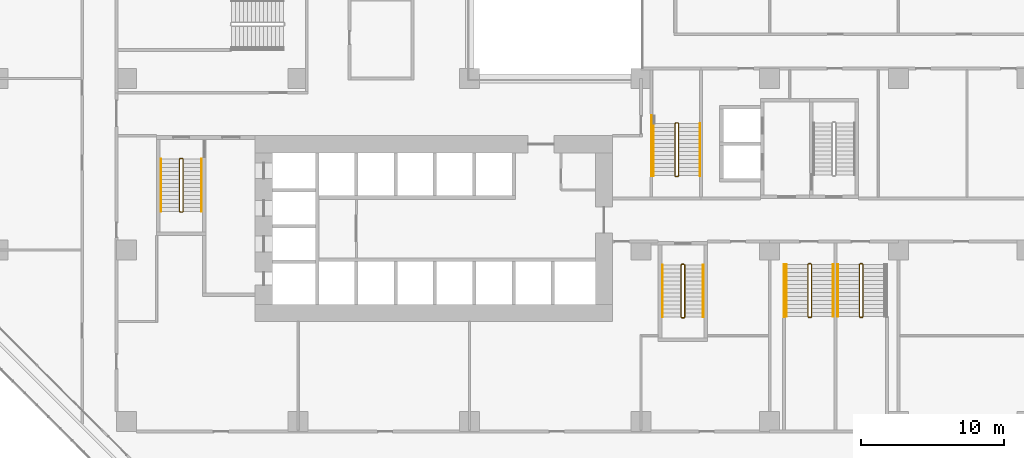
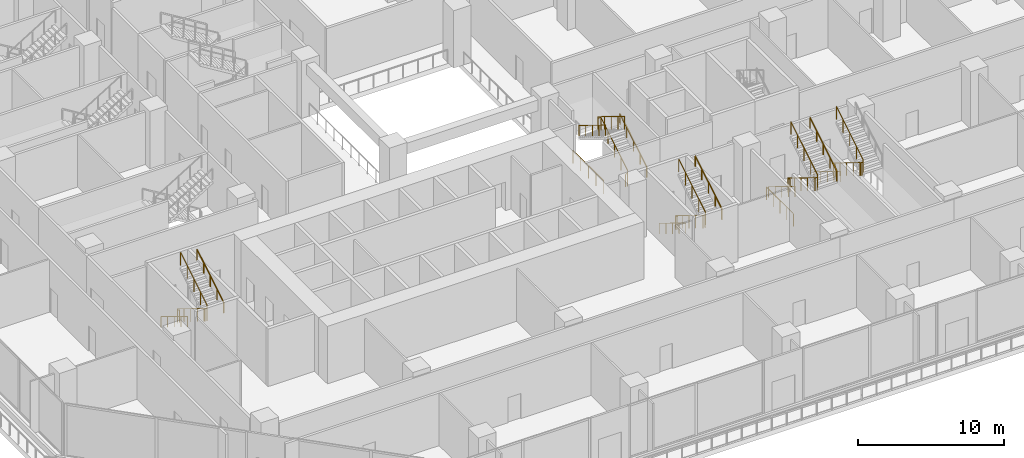
# One storey, part 24 of 31: 16 railings.
"""IFC4 building model written with IfcOpenShell, lengths in metres."""

from ifc_helpers import new_model, si_unit, direction, frame, origin, origin_2d, place, context, subcontext, project, spatial, rectangle, extrude, material, type_object, element, save


model = new_model("IFC4")

# Units and contexts
model_context = context("Model", 3, precision=1e-05, world=origin(), true_north=direction((0.0, 1.0)))
body_context = subcontext(model_context, "Body", "Model", "MODEL_VIEW")
ifc_project = project(units=[si_unit("LENGTHUNIT", "METRE"), si_unit("AREAUNIT", "SQUARE_METRE"), si_unit("VOLUMEUNIT", "CUBIC_METRE"), si_unit("PLANEANGLEUNIT", "RADIAN"), si_unit("MASSUNIT", "GRAM", prefix="KILO")], contexts=[model_context])

# Site, building, storey
site_placement = place(None, origin())
site = spatial("IfcSite", under=ifc_project, at=site_placement, CompositionType="ELEMENT")
building_placement = place(site_placement, origin())
building = spatial("IfcBuilding", under=site, at=building_placement, Name="Chenar Terraces", CompositionType="ELEMENT")
storey_placement = place(building_placement, frame((0.0, 0.0, 12.0)))
storey = spatial("IfcBuildingStorey", under=building, at=storey_placement, Name="L02", CompositionType="ELEMENT", Elevation=12.0)

# Railings
ifc_material_1 = material(Name="Powder-coated steel", Category="steel")
railing_type_1 = type_object("IfcRailingType", Name="Stair guard 1100", PredefinedType="GUARDRAIL", material=ifc_material_1)
railing_1_placement = place(storey_placement, frame((3.949951171875, 18.35009765625, 4.800048828125)))
element("IfcRailing", 1, at=railing_1_placement, inside=storey, type_object=railing_type_1, Name="L02 ST1 stair guard 1", PredefinedType="GUARDRAIL", context=body_context, shape_type="SweptSolid", body=[
    extrude(rectangle(XDim=0.048095703125, YDim=0.048095703125, at=origin_2d()), frame((0.0, 0.0, 1.076171875), z_axis=(0.0, -0.852865859571, -0.52213008492), x_axis=(1.0, 0.0, 0.0)), (0.0, 0.0, 1.0), 4.26806640625),
    extrude(rectangle(XDim=0.048095703125, YDim=0.048095703125, at=origin_2d()), frame((0.0, -3.64013671875, -1.15234375), z_axis=(-0.269583098496, -0.269583098496, -0.924472771914), x_axis=(0.707106781187, -0.707106781187, 0.0)), (0.0, 0.0, 1.0), 0.185546875),
    extrude(rectangle(XDim=0.048095703125, YDim=0.048095703125, at=origin_2d()), frame((-0.050048828125, -3.690185546875, -1.32421875), z_axis=(-1.0, 0.0, 0.0), x_axis=(0.0, -1.0, 0.0)), (0.0, 0.0, 1.0), 0.14990234375),
    extrude(rectangle(XDim=0.048095703125, YDim=0.048095703125, at=origin_2d()), frame((-0.199951171875, -3.690185546875, -1.32421875), z_axis=(-0.707106781187, 0.707106781187, 0.0), x_axis=(-0.707106781187, -0.707106781187, 0.0)), (0.0, 0.0, 1.0), 0.07080078125),
    extrude(rectangle(XDim=0.048095703125, YDim=0.048095703125, at=origin_2d()), frame((-0.25, -3.64013671875, -1.32421875), z_axis=(0.0, 0.852865859571, -0.52213008492), x_axis=(-1.0, 0.0, 0.0)), (0.0, 0.0, 1.0), 4.26806640625),
    extrude(rectangle(XDim=0.048095703125, YDim=0.048095703125, at=origin_2d()), frame((-0.25, 0.0, -3.552734375), z_axis=(0.270006937388, 0.268689830376, -0.924609122178), x_axis=(-0.705375805398, 0.708833529934, 0.0)), (0.0, 0.0, 1.0), 0.185302734375),
    extrude(rectangle(XDim=0.048095703125, YDim=0.048095703125, at=origin_2d()), frame((-0.199951171875, 0.0498046875, -3.72412109375), z_axis=(1.0, 0.0, 0.0), x_axis=(0.0, 1.0, 0.0)), (0.0, 0.0, 1.0), 0.14990234375),
    extrude(rectangle(XDim=0.0419921875, YDim=0.0419921875, at=origin_2d()), origin(), (0.0, 0.0, 1.0), 1.052001953125),
    extrude(rectangle(XDim=0.0419921875, YDim=0.0419921875, at=origin_2d()), frame((0.0, -0.91015625, -0.55712890625)), (0.0, 0.0, 1.0), 1.052001953125),
    extrude(rectangle(XDim=0.0419921875, YDim=0.0419921875, at=origin_2d()), frame((0.0, -1.820068359375, -1.1142578125)), (0.0, 0.0, 1.0), 1.052001953125),
    extrude(rectangle(XDim=0.0419921875, YDim=0.0419921875, at=origin_2d()), frame((0.0, -2.72998046875, -1.67138671875)), (0.0, 0.0, 1.0), 1.052001953125),
    extrude(rectangle(XDim=0.0419921875, YDim=0.0419921875, at=origin_2d()), frame((0.0, -3.64013671875, -2.228515625)), (0.0, 0.0, 1.0), 1.052001953125),
    extrude(rectangle(XDim=0.0419921875, YDim=0.0419921875, at=origin_2d()), frame((-0.050048828125, -3.690185546875, -2.400146484375)), (0.0, 0.0, 1.0), 1.052001953125),
    extrude(rectangle(XDim=0.0419921875, YDim=0.0419921875, at=origin_2d()), frame((-0.199951171875, -3.690185546875, -2.400146484375)), (0.0, 0.0, 1.0), 1.052001953125),
    extrude(rectangle(XDim=0.0419921875, YDim=0.0419921875, at=origin_2d()), frame((-0.25, -3.64013671875, -2.400146484375)), (0.0, 0.0, 1.0), 1.052001953125),
    extrude(rectangle(XDim=0.0419921875, YDim=0.0419921875, at=origin_2d()), frame((-0.25, -2.72998046875, -2.957275390625)), (0.0, 0.0, 1.0), 1.052001953125),
    extrude(rectangle(XDim=0.0419921875, YDim=0.0419921875, at=origin_2d()), frame((-0.25, -1.820068359375, -3.514404296875)), (0.0, 0.0, 1.0), 1.052001953125),
    extrude(rectangle(XDim=0.0419921875, YDim=0.0419921875, at=origin_2d()), frame((-0.25, -0.91015625, -4.071533203125)), (0.0, 0.0, 1.0), 1.052001953125),
    extrude(rectangle(XDim=0.0419921875, YDim=0.0419921875, at=origin_2d()), frame((-0.25, 0.0, -4.628662109375)), (0.0, 0.0, 1.0), 1.052001953125),
    extrude(rectangle(XDim=0.0419921875, YDim=0.0419921875, at=origin_2d()), frame((-0.199951171875, 0.0498046875, -4.800048828125)), (0.0, 0.0, 1.0), 1.052001953125),
    extrude(rectangle(XDim=0.0419921875, YDim=0.0419921875, at=origin_2d()), frame((-0.050048828125, 0.0498046875, -4.800048828125)), (0.0, 0.0, 1.0), 1.052001953125),
])
railing_2_placement = place(storey_placement, frame((39.050048828125, 10.949951171875, 4.800048828125)))
element("IfcRailing", 2, at=railing_2_placement, inside=storey, type_object=railing_type_1, Name="L02 ST2 stair guard 1", PredefinedType="GUARDRAIL", context=body_context, shape_type="SweptSolid", body=[
    extrude(rectangle(XDim=0.048095703125, YDim=0.048095703125, at=origin_2d()), frame((0.0, 0.0, 1.076171875), z_axis=(0.0, -0.852850264322, -0.5221555579), x_axis=(1.0, 0.0, 0.0)), (0.0, 0.0, 1.0), 4.267822265625),
    extrude(rectangle(XDim=0.048095703125, YDim=0.048095703125, at=origin_2d()), frame((0.0, -3.639892578125, -1.15234375), z_axis=(-0.269583098496, -0.269583098496, -0.924472771914), x_axis=(0.707106781187, -0.707106781187, 0.0)), (0.0, 0.0, 1.0), 0.185546875),
    extrude(rectangle(XDim=0.048095703125, YDim=0.048095703125, at=origin_2d()), frame((-0.050048828125, -3.68994140625, -1.32421875), z_axis=(-1.0, 0.0, 0.0), x_axis=(0.0, -1.0, 0.0)), (0.0, 0.0, 1.0), 0.14990234375),
    extrude(rectangle(XDim=0.048095703125, YDim=0.048095703125, at=origin_2d()), frame((-0.199951171875, -3.68994140625, -1.32421875), z_axis=(-0.707106781187, 0.707106781187, 0.0), x_axis=(-0.707106781187, -0.707106781187, 0.0)), (0.0, 0.0, 1.0), 0.07080078125),
    extrude(rectangle(XDim=0.048095703125, YDim=0.048095703125, at=origin_2d()), frame((-0.25, -3.639892578125, -1.32421875), z_axis=(0.0, 0.852850264322, -0.5221555579), x_axis=(-1.0, 0.0, 0.0)), (0.0, 0.0, 1.0), 4.267822265625),
    extrude(rectangle(XDim=0.048095703125, YDim=0.048095703125, at=origin_2d()), frame((-0.25, 0.0, -3.552734375), z_axis=(0.269911200495, 0.269911200495, -0.924281281696), x_axis=(-0.707106781187, 0.707106781187, 0.0)), (0.0, 0.0, 1.0), 0.185546875),
    extrude(rectangle(XDim=0.048095703125, YDim=0.048095703125, at=origin_2d()), frame((-0.199951171875, 0.050048828125, -3.72412109375), z_axis=(1.0, 0.0, 0.0), x_axis=(0.0, 1.0, 0.0)), (0.0, 0.0, 1.0), 0.14990234375),
    extrude(rectangle(XDim=0.0419921875, YDim=0.0419921875, at=origin_2d()), origin(), (0.0, 0.0, 1.0), 1.052001953125),
    extrude(rectangle(XDim=0.0419921875, YDim=0.0419921875, at=origin_2d()), frame((0.0, -0.909912109375, -0.55712890625)), (0.0, 0.0, 1.0), 1.052001953125),
    extrude(rectangle(XDim=0.0419921875, YDim=0.0419921875, at=origin_2d()), frame((0.0, -1.81982421875, -1.1142578125)), (0.0, 0.0, 1.0), 1.052001953125),
    extrude(rectangle(XDim=0.0419921875, YDim=0.0419921875, at=origin_2d()), frame((0.0, -2.72998046875, -1.67138671875)), (0.0, 0.0, 1.0), 1.052001953125),
    extrude(rectangle(XDim=0.0419921875, YDim=0.0419921875, at=origin_2d()), frame((0.0, -3.639892578125, -2.228515625)), (0.0, 0.0, 1.0), 1.052001953125),
    extrude(rectangle(XDim=0.0419921875, YDim=0.0419921875, at=origin_2d()), frame((-0.050048828125, -3.68994140625, -2.400146484375)), (0.0, 0.0, 1.0), 1.052001953125),
    extrude(rectangle(XDim=0.0419921875, YDim=0.0419921875, at=origin_2d()), frame((-0.199951171875, -3.68994140625, -2.400146484375)), (0.0, 0.0, 1.0), 1.052001953125),
    extrude(rectangle(XDim=0.0419921875, YDim=0.0419921875, at=origin_2d()), frame((-0.25, -3.639892578125, -2.400146484375)), (0.0, 0.0, 1.0), 1.052001953125),
    extrude(rectangle(XDim=0.0419921875, YDim=0.0419921875, at=origin_2d()), frame((-0.25, -2.72998046875, -2.957275390625)), (0.0, 0.0, 1.0), 1.052001953125),
    extrude(rectangle(XDim=0.0419921875, YDim=0.0419921875, at=origin_2d()), frame((-0.25, -1.81982421875, -3.514404296875)), (0.0, 0.0, 1.0), 1.052001953125),
    extrude(rectangle(XDim=0.0419921875, YDim=0.0419921875, at=origin_2d()), frame((-0.25, -0.909912109375, -4.071533203125)), (0.0, 0.0, 1.0), 1.052001953125),
    extrude(rectangle(XDim=0.0419921875, YDim=0.0419921875, at=origin_2d()), frame((-0.25, 0.0, -4.628662109375)), (0.0, 0.0, 1.0), 1.052001953125),
    extrude(rectangle(XDim=0.0419921875, YDim=0.0419921875, at=origin_2d()), frame((-0.199951171875, 0.050048828125, -4.800048828125)), (0.0, 0.0, 1.0), 1.052001953125),
    extrude(rectangle(XDim=0.0419921875, YDim=0.0419921875, at=origin_2d()), frame((-0.050048828125, 0.050048828125, -4.800048828125)), (0.0, 0.0, 1.0), 1.052001953125),
])
railing_3_placement = place(storey_placement, frame((38.375, 17.199951171875, 4.800048828125)))
element("IfcRailing", 3, at=railing_3_placement, inside=storey, type_object=railing_type_1, Name="L02 PS1 stair guard 1", PredefinedType="GUARDRAIL", context=body_context, shape_type="SweptSolid", body=[
    extrude(rectangle(XDim=0.048095703125, YDim=0.048095703125, at=origin_2d()), frame((0.0, 0.0, 1.076171875), z_axis=(0.0, 0.852865859571, -0.52213008492), x_axis=(-1.0, 0.0, 0.0)), (0.0, 0.0, 1.0), 4.26806640625),
    extrude(rectangle(XDim=0.048095703125, YDim=0.048095703125, at=origin_2d()), frame((0.0, 3.64013671875, -1.15234375), z_axis=(0.269678486558, 0.268362981746, -0.924799883173), x_axis=(-0.705375805398, 0.708833529934, 0.0)), (0.0, 0.0, 1.0), 0.185546875),
    extrude(rectangle(XDim=0.048095703125, YDim=0.048095703125, at=origin_2d()), frame((0.050048828125, 3.68994140625, -1.32421875), z_axis=(1.0, 0.0, 0.0), x_axis=(0.0, 1.0, 0.0)), (0.0, 0.0, 1.0), 0.14990234375),
    extrude(rectangle(XDim=0.048095703125, YDim=0.048095703125, at=origin_2d()), frame((0.199951171875, 3.68994140625, -1.32421875), z_axis=(0.708833529934, -0.705375805398, 0.0), x_axis=(0.705375805398, 0.708833529934, 0.0)), (0.0, 0.0, 1.0), 0.070556640625),
    extrude(rectangle(XDim=0.048095703125, YDim=0.048095703125, at=origin_2d()), frame((0.25, 3.64013671875, -1.32421875), z_axis=(0.0, -0.852865859571, -0.52213008492), x_axis=(1.0, 0.0, 0.0)), (0.0, 0.0, 1.0), 4.26806640625),
    extrude(rectangle(XDim=0.048095703125, YDim=0.048095703125, at=origin_2d()), frame((0.25, 0.0, -3.552734375), z_axis=(-0.269911200495, -0.269911200495, -0.924281281696), x_axis=(0.707106781187, -0.707106781187, 0.0)), (0.0, 0.0, 1.0), 0.185546875),
    extrude(rectangle(XDim=0.048095703125, YDim=0.048095703125, at=origin_2d()), frame((0.199951171875, -0.050048828125, -3.72412109375), z_axis=(-1.0, 0.0, 0.0), x_axis=(0.0, -1.0, 0.0)), (0.0, 0.0, 1.0), 0.14990234375),
    extrude(rectangle(XDim=0.0419921875, YDim=0.0419921875, at=origin_2d()), origin(), (0.0, 0.0, 1.0), 1.052001953125),
    extrude(rectangle(XDim=0.0419921875, YDim=0.0419921875, at=origin_2d()), frame((0.0, 0.91015625, -0.55712890625)), (0.0, 0.0, 1.0), 1.052001953125),
    extrude(rectangle(XDim=0.0419921875, YDim=0.0419921875, at=origin_2d()), frame((0.0, 1.820068359375, -1.1142578125)), (0.0, 0.0, 1.0), 1.052001953125),
    extrude(rectangle(XDim=0.0419921875, YDim=0.0419921875, at=origin_2d()), frame((0.0, 2.72998046875, -1.67138671875)), (0.0, 0.0, 1.0), 1.052001953125),
    extrude(rectangle(XDim=0.0419921875, YDim=0.0419921875, at=origin_2d()), frame((0.0, 3.64013671875, -2.228515625)), (0.0, 0.0, 1.0), 1.052001953125),
    extrude(rectangle(XDim=0.0419921875, YDim=0.0419921875, at=origin_2d()), frame((0.050048828125, 3.68994140625, -2.400146484375)), (0.0, 0.0, 1.0), 1.052001953125),
    extrude(rectangle(XDim=0.0419921875, YDim=0.0419921875, at=origin_2d()), frame((0.199951171875, 3.68994140625, -2.400146484375)), (0.0, 0.0, 1.0), 1.052001953125),
    extrude(rectangle(XDim=0.0419921875, YDim=0.0419921875, at=origin_2d()), frame((0.25, 3.64013671875, -2.400146484375)), (0.0, 0.0, 1.0), 1.052001953125),
    extrude(rectangle(XDim=0.0419921875, YDim=0.0419921875, at=origin_2d()), frame((0.25, 2.72998046875, -2.957275390625)), (0.0, 0.0, 1.0), 1.052001953125),
    extrude(rectangle(XDim=0.0419921875, YDim=0.0419921875, at=origin_2d()), frame((0.25, 1.820068359375, -3.514404296875)), (0.0, 0.0, 1.0), 1.052001953125),
    extrude(rectangle(XDim=0.0419921875, YDim=0.0419921875, at=origin_2d()), frame((0.25, 0.91015625, -4.071533203125)), (0.0, 0.0, 1.0), 1.052001953125),
    extrude(rectangle(XDim=0.0419921875, YDim=0.0419921875, at=origin_2d()), frame((0.25, 0.0, -4.628662109375)), (0.0, 0.0, 1.0), 1.052001953125),
    extrude(rectangle(XDim=0.0419921875, YDim=0.0419921875, at=origin_2d()), frame((0.199951171875, -0.050048828125, -4.800048828125)), (0.0, 0.0, 1.0), 1.052001953125),
    extrude(rectangle(XDim=0.0419921875, YDim=0.0419921875, at=origin_2d()), frame((0.050048828125, -0.050048828125, -4.800048828125)), (0.0, 0.0, 1.0), 1.052001953125),
])
railing_4_placement = place(storey_placement, frame((51.52490234375, 10.985107421875, 4.800048828125)))
element("IfcRailing", 4, at=railing_4_placement, inside=storey, type_object=railing_type_1, Name="L02 PS2 stair guard 1", PredefinedType="GUARDRAIL", context=body_context, shape_type="SweptSolid", body=[
    extrude(rectangle(XDim=0.048095703125, YDim=0.048095703125, at=origin_2d()), frame((0.0, 0.0, 1.076171875), z_axis=(0.0, -0.852865859571, -0.52213008492), x_axis=(1.0, 0.0, 0.0)), (0.0, 0.0, 1.0), 4.26806640625),
    extrude(rectangle(XDim=0.048095703125, YDim=0.048095703125, at=origin_2d()), frame((0.0, -3.64013671875, -1.15234375), z_axis=(-0.268362981746, -0.269678486558, -0.924799883173), x_axis=(0.708833529934, -0.705375805398, 0.0)), (0.0, 0.0, 1.0), 0.185546875),
    extrude(rectangle(XDim=0.048095703125, YDim=0.048095703125, at=origin_2d()), frame((-0.0498046875, -3.690185546875, -1.32421875), z_axis=(-1.0, 0.0, 0.0), x_axis=(0.0, -1.0, 0.0)), (0.0, 0.0, 1.0), 0.150146484375),
    extrude(rectangle(XDim=0.048095703125, YDim=0.048095703125, at=origin_2d()), frame((-0.199951171875, -3.690185546875, -1.32421875), z_axis=(-0.707106781187, 0.707106781187, 0.0), x_axis=(-0.707106781187, -0.707106781187, 0.0)), (0.0, 0.0, 1.0), 0.07080078125),
    extrude(rectangle(XDim=0.048095703125, YDim=0.048095703125, at=origin_2d()), frame((-0.25, -3.64013671875, -1.32421875), z_axis=(0.0, 0.852865859571, -0.52213008492), x_axis=(-1.0, 0.0, 0.0)), (0.0, 0.0, 1.0), 4.26806640625),
    extrude(rectangle(XDim=0.048095703125, YDim=0.048095703125, at=origin_2d()), frame((-0.25, 0.0, -3.552734375), z_axis=(0.270006937388, 0.268689830376, -0.924609122178), x_axis=(-0.705375805398, 0.708833529934, 0.0)), (0.0, 0.0, 1.0), 0.185302734375),
    extrude(rectangle(XDim=0.048095703125, YDim=0.048095703125, at=origin_2d()), frame((-0.199951171875, 0.0498046875, -3.72412109375), z_axis=(1.0, 0.0, 0.0), x_axis=(0.0, 1.0, 0.0)), (0.0, 0.0, 1.0), 0.150146484375),
    extrude(rectangle(XDim=0.0419921875, YDim=0.0419921875, at=origin_2d()), origin(), (0.0, 0.0, 1.0), 1.052001953125),
    extrude(rectangle(XDim=0.0419921875, YDim=0.0419921875, at=origin_2d()), frame((0.0, -0.91015625, -0.55712890625)), (0.0, 0.0, 1.0), 1.052001953125),
    extrude(rectangle(XDim=0.0419921875, YDim=0.0419921875, at=origin_2d()), frame((0.0, -1.820068359375, -1.1142578125)), (0.0, 0.0, 1.0), 1.052001953125),
    extrude(rectangle(XDim=0.0419921875, YDim=0.0419921875, at=origin_2d()), frame((0.0, -2.72998046875, -1.67138671875)), (0.0, 0.0, 1.0), 1.052001953125),
    extrude(rectangle(XDim=0.0419921875, YDim=0.0419921875, at=origin_2d()), frame((0.0, -3.64013671875, -2.228515625)), (0.0, 0.0, 1.0), 1.052001953125),
    extrude(rectangle(XDim=0.0419921875, YDim=0.0419921875, at=origin_2d()), frame((-0.0498046875, -3.690185546875, -2.400146484375)), (0.0, 0.0, 1.0), 1.052001953125),
    extrude(rectangle(XDim=0.0419921875, YDim=0.0419921875, at=origin_2d()), frame((-0.199951171875, -3.690185546875, -2.400146484375)), (0.0, 0.0, 1.0), 1.052001953125),
    extrude(rectangle(XDim=0.0419921875, YDim=0.0419921875, at=origin_2d()), frame((-0.25, -3.64013671875, -2.400146484375)), (0.0, 0.0, 1.0), 1.052001953125),
    extrude(rectangle(XDim=0.0419921875, YDim=0.0419921875, at=origin_2d()), frame((-0.25, -2.72998046875, -2.957275390625)), (0.0, 0.0, 1.0), 1.052001953125),
    extrude(rectangle(XDim=0.0419921875, YDim=0.0419921875, at=origin_2d()), frame((-0.25, -1.820068359375, -3.514404296875)), (0.0, 0.0, 1.0), 1.052001953125),
    extrude(rectangle(XDim=0.0419921875, YDim=0.0419921875, at=origin_2d()), frame((-0.25, -0.91015625, -4.071533203125)), (0.0, 0.0, 1.0), 1.052001953125),
    extrude(rectangle(XDim=0.0419921875, YDim=0.0419921875, at=origin_2d()), frame((-0.25, 0.0, -4.628662109375)), (0.0, 0.0, 1.0), 1.052001953125),
    extrude(rectangle(XDim=0.0419921875, YDim=0.0419921875, at=origin_2d()), frame((-0.199951171875, 0.0498046875, -4.800048828125)), (0.0, 0.0, 1.0), 1.052001953125),
    extrude(rectangle(XDim=0.0419921875, YDim=0.0419921875, at=origin_2d()), frame((-0.0498046875, 0.0498046875, -4.800048828125)), (0.0, 0.0, 1.0), 1.052001953125),
])
railing_5_placement = place(storey_placement, frame((47.925048828125, 10.985107421875, 4.800048828125)))
element("IfcRailing", 5, at=railing_5_placement, inside=storey, type_object=railing_type_1, Name="L02 PS6 stair guard 1", PredefinedType="GUARDRAIL", context=body_context, shape_type="SweptSolid", body=[
    extrude(rectangle(XDim=0.048095703125, YDim=0.048095703125, at=origin_2d()), frame((0.0, 0.0, 1.076171875), z_axis=(0.0, -0.852865859571, -0.52213008492), x_axis=(1.0, 0.0, 0.0)), (0.0, 0.0, 1.0), 4.26806640625),
    extrude(rectangle(XDim=0.048095703125, YDim=0.048095703125, at=origin_2d()), frame((0.0, -3.64013671875, -1.15234375), z_axis=(-0.269583098496, -0.269583098496, -0.924472771914), x_axis=(0.707106781187, -0.707106781187, 0.0)), (0.0, 0.0, 1.0), 0.185546875),
    extrude(rectangle(XDim=0.048095703125, YDim=0.048095703125, at=origin_2d()), frame((-0.050048828125, -3.690185546875, -1.32421875), z_axis=(-1.0, 0.0, 0.0), x_axis=(0.0, -1.0, 0.0)), (0.0, 0.0, 1.0), 0.14990234375),
    extrude(rectangle(XDim=0.048095703125, YDim=0.048095703125, at=origin_2d()), frame((-0.199951171875, -3.690185546875, -1.32421875), z_axis=(-0.707106781187, 0.707106781187, 0.0), x_axis=(-0.707106781187, -0.707106781187, 0.0)), (0.0, 0.0, 1.0), 0.07080078125),
    extrude(rectangle(XDim=0.048095703125, YDim=0.048095703125, at=origin_2d()), frame((-0.25, -3.64013671875, -1.32421875), z_axis=(0.0, 0.852865859571, -0.52213008492), x_axis=(-1.0, 0.0, 0.0)), (0.0, 0.0, 1.0), 4.26806640625),
    extrude(rectangle(XDim=0.048095703125, YDim=0.048095703125, at=origin_2d()), frame((-0.25, 0.0, -3.552734375), z_axis=(0.270006937388, 0.268689830376, -0.924609122178), x_axis=(-0.705375805398, 0.708833529934, 0.0)), (0.0, 0.0, 1.0), 0.185302734375),
    extrude(rectangle(XDim=0.048095703125, YDim=0.048095703125, at=origin_2d()), frame((-0.199951171875, 0.0498046875, -3.72412109375), z_axis=(1.0, 0.0, 0.0), x_axis=(0.0, 1.0, 0.0)), (0.0, 0.0, 1.0), 0.14990234375),
    extrude(rectangle(XDim=0.0419921875, YDim=0.0419921875, at=origin_2d()), origin(), (0.0, 0.0, 1.0), 1.052001953125),
    extrude(rectangle(XDim=0.0419921875, YDim=0.0419921875, at=origin_2d()), frame((0.0, -0.91015625, -0.55712890625)), (0.0, 0.0, 1.0), 1.052001953125),
    extrude(rectangle(XDim=0.0419921875, YDim=0.0419921875, at=origin_2d()), frame((0.0, -1.820068359375, -1.1142578125)), (0.0, 0.0, 1.0), 1.052001953125),
    extrude(rectangle(XDim=0.0419921875, YDim=0.0419921875, at=origin_2d()), frame((0.0, -2.72998046875, -1.67138671875)), (0.0, 0.0, 1.0), 1.052001953125),
    extrude(rectangle(XDim=0.0419921875, YDim=0.0419921875, at=origin_2d()), frame((0.0, -3.64013671875, -2.228515625)), (0.0, 0.0, 1.0), 1.052001953125),
    extrude(rectangle(XDim=0.0419921875, YDim=0.0419921875, at=origin_2d()), frame((-0.050048828125, -3.690185546875, -2.400146484375)), (0.0, 0.0, 1.0), 1.052001953125),
    extrude(rectangle(XDim=0.0419921875, YDim=0.0419921875, at=origin_2d()), frame((-0.199951171875, -3.690185546875, -2.400146484375)), (0.0, 0.0, 1.0), 1.052001953125),
    extrude(rectangle(XDim=0.0419921875, YDim=0.0419921875, at=origin_2d()), frame((-0.25, -3.64013671875, -2.400146484375)), (0.0, 0.0, 1.0), 1.052001953125),
    extrude(rectangle(XDim=0.0419921875, YDim=0.0419921875, at=origin_2d()), frame((-0.25, -2.72998046875, -2.957275390625)), (0.0, 0.0, 1.0), 1.052001953125),
    extrude(rectangle(XDim=0.0419921875, YDim=0.0419921875, at=origin_2d()), frame((-0.25, -1.820068359375, -3.514404296875)), (0.0, 0.0, 1.0), 1.052001953125),
    extrude(rectangle(XDim=0.0419921875, YDim=0.0419921875, at=origin_2d()), frame((-0.25, -0.91015625, -4.071533203125)), (0.0, 0.0, 1.0), 1.052001953125),
    extrude(rectangle(XDim=0.0419921875, YDim=0.0419921875, at=origin_2d()), frame((-0.25, 0.0, -4.628662109375)), (0.0, 0.0, 1.0), 1.052001953125),
    extrude(rectangle(XDim=0.0419921875, YDim=0.0419921875, at=origin_2d()), frame((-0.199951171875, 0.0498046875, -4.800048828125)), (0.0, 0.0, 1.0), 1.052001953125),
    extrude(rectangle(XDim=0.0419921875, YDim=0.0419921875, at=origin_2d()), frame((-0.050048828125, 0.0498046875, -4.800048828125)), (0.0, 0.0, 1.0), 1.052001953125),
])
railing_6_placement = place(storey_placement, frame((36.72509765625, 21.39990234375, 0.0)))
element("IfcRailing", 6, at=railing_6_placement, inside=storey, type_object=railing_type_1, Name="L02 PS1 stair guard 101", PredefinedType="GUARDRAIL", context=body_context, shape_type="SweptSolid", body=[
    extrude(rectangle(XDim=0.048095703125, YDim=0.048095703125, at=origin_2d()), frame((0.0, 0.0, 1.076171875), z_axis=(0.0, -1.0, 0.0), x_axis=(1.0, 0.0, 0.0)), (0.0, 0.0, 1.0), 4.199951171875),
    extrude(rectangle(XDim=0.0419921875, YDim=0.0419921875, at=origin_2d()), origin(), (0.0, 0.0, 1.0), 1.052001953125),
    extrude(rectangle(XDim=0.0419921875, YDim=0.0419921875, at=origin_2d()), frame((0.0, -1.050048828125, 0.0)), (0.0, 0.0, 1.0), 1.052001953125),
    extrude(rectangle(XDim=0.0419921875, YDim=0.0419921875, at=origin_2d()), frame((0.0, -2.10009765625, 0.0)), (0.0, 0.0, 1.0), 1.052001953125),
    extrude(rectangle(XDim=0.0419921875, YDim=0.0419921875, at=origin_2d()), frame((0.0, -3.14990234375, 0.0)), (0.0, 0.0, 1.0), 1.052001953125),
    extrude(rectangle(XDim=0.0419921875, YDim=0.0419921875, at=origin_2d()), frame((0.0, -4.199951171875, 0.0)), (0.0, 0.0, 1.0), 1.052001953125),
])
railing_7_placement = place(storey_placement, frame((46.010009765625, 10.985107421875, 0.0)))
element("IfcRailing", 7, at=railing_7_placement, inside=storey, type_object=railing_type_1, Name="L02 PS6 stair guard 101", PredefinedType="GUARDRAIL", context=body_context, shape_type="SweptSolid", body=[
    extrude(rectangle(XDim=0.048095703125, YDim=0.048095703125, at=origin_2d()), frame((0.0, 0.0, 1.076171875), z_axis=(0.0, -1.0, 0.0), x_axis=(1.0, 0.0, 0.0)), (0.0, 0.0, 1.0), 3.660888671875),
    extrude(rectangle(XDim=0.0419921875, YDim=0.0419921875, at=origin_2d()), origin(), (0.0, 0.0, 1.0), 1.052001953125),
    extrude(rectangle(XDim=0.0419921875, YDim=0.0419921875, at=origin_2d()), frame((0.0, -0.915283203125, 0.0)), (0.0, 0.0, 1.0), 1.052001953125),
    extrude(rectangle(XDim=0.0419921875, YDim=0.0419921875, at=origin_2d()), frame((0.0, -1.83056640625, 0.0)), (0.0, 0.0, 1.0), 1.052001953125),
    extrude(rectangle(XDim=0.0419921875, YDim=0.0419921875, at=origin_2d()), frame((0.0, -2.74560546875, 0.0)), (0.0, 0.0, 1.0), 1.052001953125),
    extrude(rectangle(XDim=0.0419921875, YDim=0.0419921875, at=origin_2d()), frame((0.0, -3.660888671875, 0.0)), (0.0, 0.0, 1.0), 1.052001953125),
])
ifc_material_2 = material(Name="Powder-coated steel", Category="steel")
railing_type_2 = type_object("IfcRailingType", Name="Stair handrail 900", PredefinedType="HANDRAIL", material=ifc_material_2)
railing_8_placement = place(storey_placement, frame((2.39990234375, 18.35009765625, 0.17138671875)))
element("IfcRailing", 8, at=railing_8_placement, inside=storey, type_object=railing_type_2, Name="L02 ST1 stair handrail 1", PredefinedType="HANDRAIL", context=body_context, shape_type="SweptSolid", body=[
    extrude(rectangle(XDim=0.048095703125, YDim=0.048095703125, at=origin_2d()), frame((0.0, 0.0, 0.8759765625), z_axis=(0.0, -0.852865859571, 0.52213008492), x_axis=(1.0, 0.0, 0.0)), (0.0, 0.0, 1.0), 4.26806640625),
    extrude(rectangle(XDim=0.0419921875, YDim=0.0419921875, at=origin_2d()), origin(), (0.0, 0.0, 1.0), 0.851806640625),
    extrude(rectangle(XDim=0.0419921875, YDim=0.0419921875, at=origin_2d()), frame((0.0, -0.91015625, 0.55712890625)), (0.0, 0.0, 1.0), 0.851806640625),
    extrude(rectangle(XDim=0.0419921875, YDim=0.0419921875, at=origin_2d()), frame((0.0, -1.820068359375, 1.1142578125)), (0.0, 0.0, 1.0), 0.851806640625),
    extrude(rectangle(XDim=0.0419921875, YDim=0.0419921875, at=origin_2d()), frame((0.0, -2.72998046875, 1.67138671875)), (0.0, 0.0, 1.0), 0.851806640625),
    extrude(rectangle(XDim=0.0419921875, YDim=0.0419921875, at=origin_2d()), frame((0.0, -3.64013671875, 2.228515625)), (0.0, 0.0, 1.0), 0.851806640625),
])
railing_9_placement = place(storey_placement, frame((5.25, 14.7099609375, 2.571533203125)))
element("IfcRailing", 9, at=railing_9_placement, inside=storey, type_object=railing_type_2, Name="L02 ST1 stair handrail 2", PredefinedType="HANDRAIL", context=body_context, shape_type="SweptSolid", body=[
    extrude(rectangle(XDim=0.048095703125, YDim=0.048095703125, at=origin_2d()), frame((0.0, 0.0, 0.8759765625), z_axis=(0.0, 0.852865859571, 0.52213008492), x_axis=(-1.0, 0.0, 0.0)), (0.0, 0.0, 1.0), 4.26806640625),
    extrude(rectangle(XDim=0.0419921875, YDim=0.0419921875, at=origin_2d()), origin(), (0.0, 0.0, 1.0), 0.851806640625),
    extrude(rectangle(XDim=0.0419921875, YDim=0.0419921875, at=origin_2d()), frame((0.0, 0.91015625, 0.55712890625)), (0.0, 0.0, 1.0), 0.851806640625),
    extrude(rectangle(XDim=0.0419921875, YDim=0.0419921875, at=origin_2d()), frame((0.0, 1.820068359375, 1.1142578125)), (0.0, 0.0, 1.0), 0.851806640625),
    extrude(rectangle(XDim=0.0419921875, YDim=0.0419921875, at=origin_2d()), frame((0.0, 2.72998046875, 1.67138671875)), (0.0, 0.0, 1.0), 0.851806640625),
    extrude(rectangle(XDim=0.0419921875, YDim=0.0419921875, at=origin_2d()), frame((0.0, 3.64013671875, 2.228515625)), (0.0, 0.0, 1.0), 0.851806640625),
])
railing_10_placement = place(storey_placement, frame((37.5, 10.949951171875, 0.17138671875)))
element("IfcRailing", 10, at=railing_10_placement, inside=storey, type_object=railing_type_2, Name="L02 ST2 stair handrail 1", PredefinedType="HANDRAIL", context=body_context, shape_type="SweptSolid", body=[
    extrude(rectangle(XDim=0.048095703125, YDim=0.048095703125, at=origin_2d()), frame((0.0, 0.0, 0.8759765625), z_axis=(0.0, -0.852850264322, 0.5221555579), x_axis=(1.0, 0.0, 0.0)), (0.0, 0.0, 1.0), 4.267822265625),
    extrude(rectangle(XDim=0.0419921875, YDim=0.0419921875, at=origin_2d()), origin(), (0.0, 0.0, 1.0), 0.851806640625),
    extrude(rectangle(XDim=0.0419921875, YDim=0.0419921875, at=origin_2d()), frame((0.0, -0.909912109375, 0.55712890625)), (0.0, 0.0, 1.0), 0.851806640625),
    extrude(rectangle(XDim=0.0419921875, YDim=0.0419921875, at=origin_2d()), frame((0.0, -1.81982421875, 1.1142578125)), (0.0, 0.0, 1.0), 0.851806640625),
    extrude(rectangle(XDim=0.0419921875, YDim=0.0419921875, at=origin_2d()), frame((0.0, -2.72998046875, 1.67138671875)), (0.0, 0.0, 1.0), 0.851806640625),
    extrude(rectangle(XDim=0.0419921875, YDim=0.0419921875, at=origin_2d()), frame((0.0, -3.639892578125, 2.228515625)), (0.0, 0.0, 1.0), 0.851806640625),
])
railing_11_placement = place(storey_placement, frame((40.35009765625, 7.31005859375, 2.571533203125)))
element("IfcRailing", 11, at=railing_11_placement, inside=storey, type_object=railing_type_2, Name="L02 ST2 stair handrail 2", PredefinedType="HANDRAIL", context=body_context, shape_type="SweptSolid", body=[
    extrude(rectangle(XDim=0.048095703125, YDim=0.048095703125, at=origin_2d()), frame((0.0, 0.0, 0.8759765625), z_axis=(0.0, 0.852850264322, 0.5221555579), x_axis=(-1.0, 0.0, 0.0)), (0.0, 0.0, 1.0), 4.267822265625),
    extrude(rectangle(XDim=0.0419921875, YDim=0.0419921875, at=origin_2d()), origin(), (0.0, 0.0, 1.0), 0.851806640625),
    extrude(rectangle(XDim=0.0419921875, YDim=0.0419921875, at=origin_2d()), frame((0.0, 0.909912109375, 0.55712890625)), (0.0, 0.0, 1.0), 0.851806640625),
    extrude(rectangle(XDim=0.0419921875, YDim=0.0419921875, at=origin_2d()), frame((0.0, 1.81982421875, 1.1142578125)), (0.0, 0.0, 1.0), 0.851806640625),
    extrude(rectangle(XDim=0.0419921875, YDim=0.0419921875, at=origin_2d()), frame((0.0, 2.72998046875, 1.67138671875)), (0.0, 0.0, 1.0), 0.851806640625),
    extrude(rectangle(XDim=0.0419921875, YDim=0.0419921875, at=origin_2d()), frame((0.0, 3.639892578125, 2.228515625)), (0.0, 0.0, 1.0), 0.851806640625),
])
railing_12_placement = place(storey_placement, frame((40.125, 17.199951171875, 0.17138671875)))
element("IfcRailing", 12, at=railing_12_placement, inside=storey, type_object=railing_type_2, Name="L02 PS1 stair handrail 1", PredefinedType="HANDRAIL", context=body_context, shape_type="SweptSolid", body=[
    extrude(rectangle(XDim=0.048095703125, YDim=0.048095703125, at=origin_2d()), frame((0.0, 0.0, 0.8759765625), z_axis=(0.0, 0.852865859571, 0.52213008492), x_axis=(-1.0, 0.0, 0.0)), (0.0, 0.0, 1.0), 4.26806640625),
    extrude(rectangle(XDim=0.0419921875, YDim=0.0419921875, at=origin_2d()), origin(), (0.0, 0.0, 1.0), 0.851806640625),
    extrude(rectangle(XDim=0.0419921875, YDim=0.0419921875, at=origin_2d()), frame((0.0, 0.91015625, 0.55712890625)), (0.0, 0.0, 1.0), 0.851806640625),
    extrude(rectangle(XDim=0.0419921875, YDim=0.0419921875, at=origin_2d()), frame((0.0, 1.820068359375, 1.1142578125)), (0.0, 0.0, 1.0), 0.851806640625),
    extrude(rectangle(XDim=0.0419921875, YDim=0.0419921875, at=origin_2d()), frame((0.0, 2.72998046875, 1.67138671875)), (0.0, 0.0, 1.0), 0.851806640625),
    extrude(rectangle(XDim=0.0419921875, YDim=0.0419921875, at=origin_2d()), frame((0.0, 3.64013671875, 2.228515625)), (0.0, 0.0, 1.0), 0.851806640625),
])
for number, where, name in (
    (13, (36.875, 20.840087890625, 2.571533203125), "L02 PS1 stair handrail 2"),
    (14, (49.760009765625, 10.985107421875, 0.17138671875), "L02 PS2 stair handrail 1"),
    (15, (46.159912109375, 10.985107421875, 0.17138671875), "L02 PS6 stair handrail 1"),
):
    element("IfcRailing", number, at=place(storey_placement, frame(where)), inside=storey, type_object=railing_type_2, Name=name, PredefinedType="HANDRAIL", context=body_context, shape_type="SweptSolid", body=[
        extrude(rectangle(XDim=0.048095703125, YDim=0.048095703125, at=origin_2d()), frame((0.0, 0.0, 0.8759765625), z_axis=(0.0, -0.852865859571, 0.52213008492), x_axis=(1.0, 0.0, 0.0)), (0.0, 0.0, 1.0), 4.26806640625),
        extrude(rectangle(XDim=0.0419921875, YDim=0.0419921875, at=origin_2d()), origin(), (0.0, 0.0, 1.0), 0.851806640625),
        extrude(rectangle(XDim=0.0419921875, YDim=0.0419921875, at=origin_2d()), frame((0.0, -0.91015625, 0.55712890625)), (0.0, 0.0, 1.0), 0.851806640625),
        extrude(rectangle(XDim=0.0419921875, YDim=0.0419921875, at=origin_2d()), frame((0.0, -1.820068359375, 1.1142578125)), (0.0, 0.0, 1.0), 0.851806640625),
        extrude(rectangle(XDim=0.0419921875, YDim=0.0419921875, at=origin_2d()), frame((0.0, -2.72998046875, 1.67138671875)), (0.0, 0.0, 1.0), 0.851806640625),
        extrude(rectangle(XDim=0.0419921875, YDim=0.0419921875, at=origin_2d()), frame((0.0, -3.64013671875, 2.228515625)), (0.0, 0.0, 1.0), 0.851806640625),
    ])
railing_13_placement = place(storey_placement, frame((49.43994140625, 7.344970703125, 2.571533203125)))
element("IfcRailing", 16, at=railing_13_placement, inside=storey, type_object=railing_type_2, Name="L02 PS6 stair handrail 2", PredefinedType="HANDRAIL", context=body_context, shape_type="SweptSolid", body=[
    extrude(rectangle(XDim=0.048095703125, YDim=0.048095703125, at=origin_2d()), frame((0.0, 0.0, 0.8759765625), z_axis=(0.0, 0.852865859571, 0.52213008492), x_axis=(-1.0, 0.0, 0.0)), (0.0, 0.0, 1.0), 4.26806640625),
    extrude(rectangle(XDim=0.0419921875, YDim=0.0419921875, at=origin_2d()), origin(), (0.0, 0.0, 1.0), 0.851806640625),
    extrude(rectangle(XDim=0.0419921875, YDim=0.0419921875, at=origin_2d()), frame((0.0, 0.91015625, 0.55712890625)), (0.0, 0.0, 1.0), 0.851806640625),
    extrude(rectangle(XDim=0.0419921875, YDim=0.0419921875, at=origin_2d()), frame((0.0, 1.820068359375, 1.1142578125)), (0.0, 0.0, 1.0), 0.851806640625),
    extrude(rectangle(XDim=0.0419921875, YDim=0.0419921875, at=origin_2d()), frame((0.0, 2.72998046875, 1.67138671875)), (0.0, 0.0, 1.0), 0.851806640625),
    extrude(rectangle(XDim=0.0419921875, YDim=0.0419921875, at=origin_2d()), frame((0.0, 3.64013671875, 2.228515625)), (0.0, 0.0, 1.0), 0.851806640625),
])

save(model, "model.ifc")
